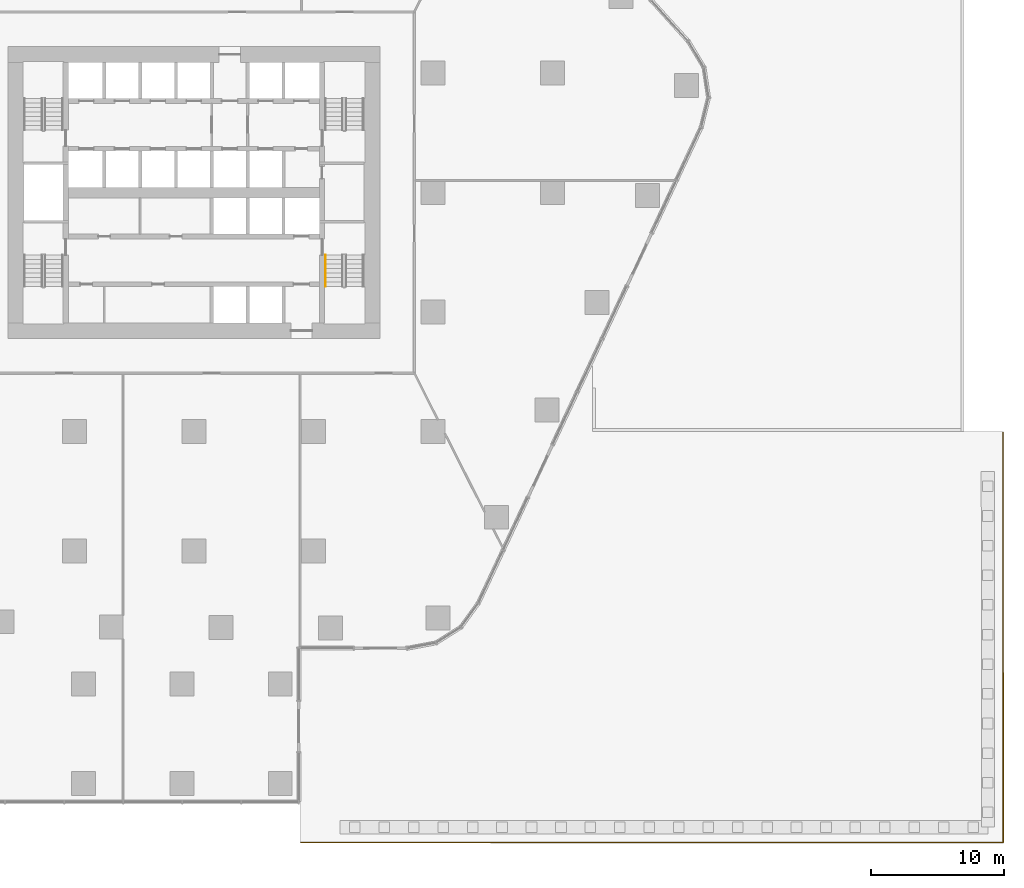
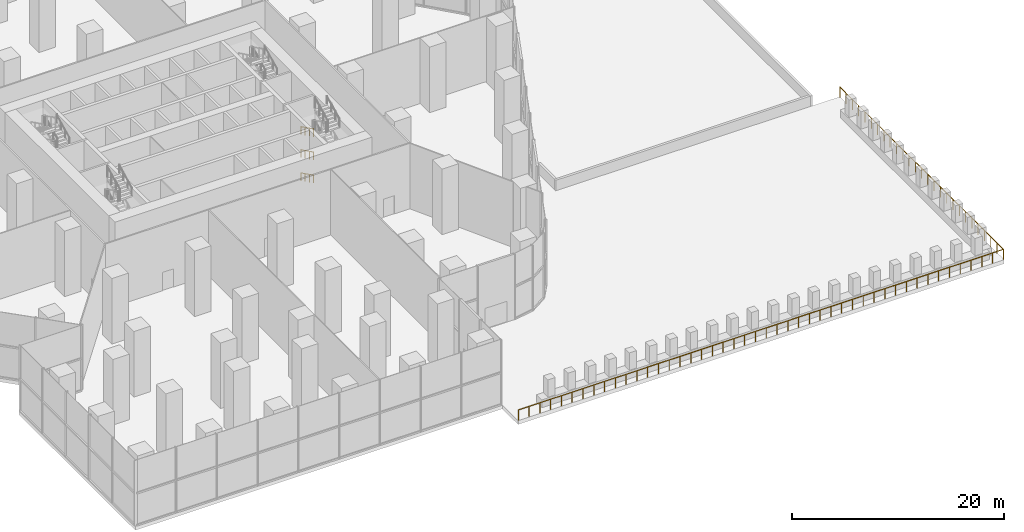
# One storey, part 20 of 22: 4 railings.
"""IFC4 building model written with IfcOpenShell, lengths in metres."""

import ifcopenshell
import ifcopenshell.guid

model = None  # the IFC model being written
_history = None  # IfcOwnerHistory: only IFC2X3 demands one
_inside = {}  # id of a spatial element -> (the spatial element, [elements in it])
_under = {}  # id of a project, library or spatial element -> (it, [spatial elements below it])
_declared = {}  # id of a project -> (the project, [libraries it declares])
_typed = {}  # id of a type object -> (the type object, [elements of that type])
_made_of = {}  # id of a material, layer set ... -> (it, [elements and type objects made of it])


def new_model(schema):
    """Start an empty IFC model of exactly this schema.

    Asked for "IFC4X3", IfcOpenShell would pick the latest addendum, in which some entities
    have other attributes; the version numbers below select the first issue.
    IFC2X3 requires an IfcOwnerHistory on every rooted entity: one is made here for all.
    """
    global model, _history
    if schema == "IFC4X3":
        model = ifcopenshell.file(schema_version=(4, 3, 0, 0))
    else:
        model = ifcopenshell.file(schema=schema)
    _inside.clear()
    _under.clear()
    _declared.clear()
    _typed.clear()
    _made_of.clear()
    _history = None
    if model.schema == "IFC2X3":
        org = make("IfcOrganization", Name="unknown")
        user = make(
            "IfcPersonAndOrganization",
            ThePerson=make("IfcPerson", FamilyName="unknown"),
            TheOrganization=org,
        )
        app = make(
            "IfcApplication",
            ApplicationDeveloper=org,
            Version="unknown",
            ApplicationFullName="unknown",
            ApplicationIdentifier="unknown",
        )
        _history = make(
            "IfcOwnerHistory",
            OwningUser=user,
            OwningApplication=app,
            ChangeAction="ADDED",
            CreationDate=0,
        )
    return model


def make(cls, **values):
    """One entity of the class cls with the attributes given. An attribute that is None is left unset."""
    return model.create_entity(
        cls, **{name: value for name, value in values.items() if value is not None}
    )


def rooted(cls, **values):
    """An entity with a GlobalId (a new one), such as an element, a storey or a relation."""
    return make(cls, GlobalId=ifcopenshell.guid.new(), OwnerHistory=_history, **values)


def si_unit(unit_type, name, prefix=None):
    """IfcSIUnit, for example si_unit("LENGTHUNIT", "METRE", prefix="MILLI")."""
    return make("IfcSIUnit", UnitType=unit_type, Prefix=prefix, Name=name)


def assignment(units):
    """IfcUnitAssignment: the units of a project."""
    return None if units is None else make("IfcUnitAssignment", Units=units)


def point(xyz):
    """IfcCartesianPoint."""
    return None if xyz is None else make("IfcCartesianPoint", Coordinates=xyz)


def direction(xyz):
    """IfcDirection."""
    return None if xyz is None else make("IfcDirection", DirectionRatios=xyz)


def frame(location, z_axis=None, x_axis=None):
    """IfcAxis2Placement3D, a coordinate frame: its origin and axes. An axis left out is left unset."""
    return make(
        "IfcAxis2Placement3D",
        Location=point(location),
        Axis=direction(z_axis),
        RefDirection=direction(x_axis),
    )


def frame_2d(location, x_axis=None):
    """IfcAxis2Placement2D, a coordinate frame in the plane: its origin and x axis."""
    return make(
        "IfcAxis2Placement2D", Location=point(location), RefDirection=direction(x_axis)
    )


def origin():
    """The frame at (0, 0, 0) with its axes left unset."""
    return frame((0.0, 0.0, 0.0))


def origin_2d():
    """The frame at (0, 0) in the plane with its x axis left unset."""
    return frame_2d((0.0, 0.0))


def place(relative_to, where):
    """IfcLocalPlacement: puts the frame where relative to a parent placement (None: the world)."""
    return make(
        "IfcLocalPlacement", PlacementRelTo=relative_to, RelativePlacement=where
    )


def context(
    kind, dimensions, precision=None, world=None, true_north=None, identifier=None
):
    """IfcGeometricRepresentationContext, for example the 3D "Model" context."""
    return make(
        "IfcGeometricRepresentationContext",
        ContextIdentifier=identifier,
        ContextType=kind,
        CoordinateSpaceDimension=dimensions,
        Precision=precision,
        WorldCoordinateSystem=world,
        TrueNorth=true_north,
    )


def subcontext(parent, identifier, kind, view, scale=None):
    """IfcGeometricRepresentationSubContext, for example "Body" below "Model"."""
    return make(
        "IfcGeometricRepresentationSubContext",
        ContextIdentifier=identifier,
        ContextType=kind,
        ParentContext=parent,
        TargetScale=scale,
        TargetView=view,
    )


def project(units=None, contexts=None):
    """IfcProject with its units and contexts."""
    return rooted(
        "IfcProject",
        Name="project",
        RepresentationContexts=contexts,
        UnitsInContext=assignment(units),
    )


def spatial(cls, under=None, at=None, **own):
    """A site, building, storey or space (cls), placed at a placement, below another one or the project."""
    s = rooted(cls, ObjectPlacement=at, **own)
    if under is not None:
        _under.setdefault(under.id(), (under, []))[1].append(s)
    return s


def profile(cls, at=None, kind="AREA", **sizes):
    """A parametric profile (cls). Its sizes go by their IFC names, for example OverallWidth=200.0."""
    return make(cls, ProfileType=kind, Position=at, **sizes)


def circle(**sizes):
    """IfcCircleProfileDef."""
    return profile("IfcCircleProfileDef", **sizes)


def extrude(swept, where, along, depth):
    """IfcExtrudedAreaSolid: the profile swept, set in the frame where, extruded along a direction by depth."""
    return make(
        "IfcExtrudedAreaSolid",
        SweptArea=swept,
        Position=where,
        ExtrudedDirection=direction(along),
        Depth=depth,
    )


def shape(context_of_items, identifier, shape_type, items):
    """IfcShapeRepresentation: the items that make up one representation, for example the "Body"."""
    return make(
        "IfcShapeRepresentation",
        ContextOfItems=context_of_items,
        RepresentationIdentifier=identifier,
        RepresentationType=shape_type,
        Items=items,
    )


def material(Name=None, Category=None):
    """IfcMaterial."""
    return make("IfcMaterial", Name=Name, Category=Category)


def made_of(thing, what):
    """Note that an element or type object is made of a material, layer set ...; save() writes the relation."""
    if what is not None:
        _made_of.setdefault(what.id(), (what, []))[1].append(thing)
    return thing


def type_object(cls, material=None, **own):
    """A type object (cls), such as IfcWallType, which elements share."""
    return made_of(rooted(cls, **own), material)


def element(
    cls,
    number,
    at=None,
    inside=None,
    cuts=None,
    type_object=None,
    material=None,
    context=None,
    identifier="Body",
    shape_type=None,
    held_by="IfcProductDefinitionShape",
    body=None,
    shapes=None,
    **own,
):
    """One element of the class cls, such as IfcWall. Its Tag is "e" and its number.

    at: its placement. inside: the storey or other place that contains it. cuts: it is an
    opening in that element (IfcRelVoidsElement). A single representation is given by context,
    identifier, shape_type and body (its items); several are given by shapes. held_by: the class
    of the entity that holds the representations. save() writes the other relations.
    """
    e = rooted(cls, Tag="e%d" % number, ObjectPlacement=at, **own)
    if body is not None:
        shapes = [shape(context, identifier, shape_type, body)]
    if shapes is not None:
        e.Representation = make(held_by, Representations=shapes)
    if inside is not None:
        _inside.setdefault(inside.id(), (inside, []))[1].append(e)
    if cuts is not None:
        rooted(
            "IfcRelVoidsElement", RelatingBuildingElement=cuts, RelatedOpeningElement=e
        )
    if type_object is not None:
        _typed.setdefault(type_object.id(), (type_object, []))[1].append(e)
    return made_of(e, material)


def aggregate(whole, parts):
    """IfcRelAggregates: a whole, such as a stair, and the parts it consists of."""
    return rooted("IfcRelAggregates", RelatingObject=whole, RelatedObjects=parts)


def save(model, path):
    """Write the relations noted so far, then the file.

    IfcRelAggregates (storeys below a building ...), IfcRelContainedInSpatialStructure (elements
    in a storey), IfcRelDefinesByType, IfcRelAssociatesMaterial and IfcRelDeclares: one each for
    every whole, place, type object, material and project.
    """
    for whole, parts in _under.values():
        aggregate(whole, parts)
    for where, things in _inside.values():
        rooted(
            "IfcRelContainedInSpatialStructure",
            RelatedElements=things,
            RelatingStructure=where,
        )
    for kind, things in _typed.values():
        rooted("IfcRelDefinesByType", RelatedObjects=things, RelatingType=kind)
    for what, things in _made_of.values():
        rooted("IfcRelAssociatesMaterial", RelatedObjects=things, RelatingMaterial=what)
    for by, libraries in _declared.values():
        rooted("IfcRelDeclares", RelatingContext=by, RelatedDefinitions=libraries)
    model.write(path)


model = new_model("IFC4")

# Units and contexts
model_context = context("Model", 3, precision=1e-05, world=origin(), true_north=direction((0.0, 1.0)))
body_context = subcontext(model_context, "Body", "Model", "MODEL_VIEW")
ifc_project = project(units=[si_unit("LENGTHUNIT", "METRE"), si_unit("AREAUNIT", "SQUARE_METRE"), si_unit("VOLUMEUNIT", "CUBIC_METRE"), si_unit("PLANEANGLEUNIT", "RADIAN"), si_unit("MASSUNIT", "GRAM", prefix="KILO")], contexts=[model_context])

# Site, building, storey
site_placement = place(None, origin())
site = spatial("IfcSite", under=ifc_project, at=site_placement, CompositionType="ELEMENT")
building_placement = place(site_placement, origin())
building = spatial("IfcBuilding", under=site, at=building_placement, Name="Dongbaek Canopy Tower", CompositionType="ELEMENT")
storey_placement = place(building_placement, frame((0.0, 0.0, 19.0)))
storey = spatial("IfcBuildingStorey", under=building, at=storey_placement, Name="L02", CompositionType="ELEMENT", Elevation=19.0)

# Railings
ifc_material_1 = material(Name="Stainless steel tube", Category="steel")
railing_type_1 = type_object("IfcRailingType", Name="Stair handrail 900", PredefinedType="HANDRAIL", material=ifc_material_1)
railing_1_placement = place(storey_placement, frame((9.89990234375, -4.699951171875, 0.166748046875)))
element("IfcRailing", 1, at=railing_1_placement, inside=storey, type_object=railing_type_1, Name="L02 ST-B stair handrail 1", PredefinedType="HANDRAIL", context=body_context, shape_type="SweptSolid", body=[
    extrude(circle(Radius=0.02392578125, at=origin_2d()), frame((0.0, 0.0, 0.8759765625), z_axis=(0.0, -0.897954268197, 0.440088777664), x_axis=(1.0, 0.0, 0.0)), (0.0, 0.0, 1.0), 2.650634765625),
    extrude(circle(Radius=0.02099609375, at=origin_2d()), origin(), (0.0, 0.0, 1.0), 0.851806640625),
    extrude(circle(Radius=0.02099609375, at=origin_2d()), frame((0.0, -0.79345703125, 0.388916015625)), (0.0, 0.0, 1.0), 0.851806640625),
    extrude(circle(Radius=0.02099609375, at=origin_2d()), frame((0.0, -1.586669921875, 0.777587890625)), (0.0, 0.0, 1.0), 0.851806640625),
    extrude(circle(Radius=0.02099609375, at=origin_2d()), frame((0.0, -2.380126953125, 1.16650390625)), (0.0, 0.0, 1.0), 0.851806640625),
])
for number, where, name in (
    (2, (9.89990234375, -4.699951171875, 2.833251953125), "L02 ST-B stair handrail 3"),
    (3, (9.89990234375, -4.699951171875, 5.5), "L02 ST-B stair handrail 5"),
):
    element("IfcRailing", number, at=place(storey_placement, frame(where)), inside=storey, type_object=railing_type_1, Name=name, PredefinedType="HANDRAIL", context=body_context, shape_type="SweptSolid", body=[
        extrude(circle(Radius=0.02392578125, at=origin_2d()), frame((0.0, 0.0, 0.8759765625), z_axis=(0.0, -0.897917867668, 0.440163041295), x_axis=(1.0, 0.0, 0.0)), (0.0, 0.0, 1.0), 2.650634765625),
        extrude(circle(Radius=0.02099609375, at=origin_2d()), origin(), (0.0, 0.0, 1.0), 0.851806640625),
        extrude(circle(Radius=0.02099609375, at=origin_2d()), frame((0.0, -0.79345703125, 0.388916015625)), (0.0, 0.0, 1.0), 0.851806640625),
        extrude(circle(Radius=0.02099609375, at=origin_2d()), frame((0.0, -1.586669921875, 0.77783203125)), (0.0, 0.0, 1.0), 0.851806640625),
        extrude(circle(Radius=0.02099609375, at=origin_2d()), frame((0.0, -2.380126953125, 1.166748046875)), (0.0, 0.0, 1.0), 0.851806640625),
    ])
ifc_material_2 = material(Name="Stainless steel", Category="steel")
railing_type_2 = type_object("IfcRailingType", Name="Terrace guard 1200", PredefinedType="GUARDRAIL", material=ifc_material_2)
railing_2_placement = place(storey_placement, frame((60.931884765625, -18.06005859375, 0.0)))
element("IfcRailing", 4, at=railing_2_placement, inside=storey, type_object=railing_type_2, Name="Podium deck guard S1", PredefinedType="GUARDRAIL", context=body_context, shape_type="SweptSolid", body=[
    extrude(circle(Radius=0.02392578125, at=origin_2d()), frame((0.0, 0.0, 1.17578125), z_axis=(0.832050294338, -0.554700196225, 0.0), x_axis=(0.554700196225, 0.832050294338, 0.0)), (0.0, 0.0, 1.0), 0.00537109375),
    extrude(circle(Radius=0.02392578125, at=origin_2d()), frame((0.00439453125, -0.0029296875, 1.17578125), z_axis=(0.000118634281, -0.999999992963, 0.0), x_axis=(0.999999992963, 0.000118634281, 0.0)), (0.0, 0.0, 1.0), 30.868896484375),
    extrude(circle(Radius=0.02392578125, at=origin_2d()), frame((0.008056640625, -30.871826171875, 1.17578125), z_axis=(-0.554700196225, -0.832050294338, 0.0), x_axis=(0.832050294338, -0.554700196225, 0.0)), (0.0, 0.0, 1.0), 0.00537109375),
    extrude(circle(Radius=0.02392578125, at=origin_2d()), frame((0.005126953125, -30.876220703125, 1.17578125), z_axis=(-0.999999996152, 8.7725778e-05, 0.0), x_axis=(-8.7725778e-05, -0.999999996152, 0.0)), (0.0, 0.0, 1.0), 52.876953125),
    extrude(circle(Radius=0.02099609375, at=origin_2d()), origin(), (0.0, 0.0, 1.0), 1.15185546875),
    extrude(circle(Radius=0.02099609375, at=origin_2d()), frame((0.00439453125, -0.0029296875, 0.0)), (0.0, 0.0, 1.0), 1.15185546875),
    extrude(circle(Radius=0.02099609375, at=origin_2d()), frame((0.004638671875, -1.190185546875, 0.0)), (0.0, 0.0, 1.0), 1.15185546875),
    extrude(circle(Radius=0.02099609375, at=origin_2d()), frame((0.004638671875, -2.37744140625, 0.0)), (0.0, 0.0, 1.0), 1.15185546875),
    extrude(circle(Radius=0.02099609375, at=origin_2d()), frame((0.0048828125, -3.564697265625, 0.0)), (0.0, 0.0, 1.0), 1.15185546875),
    extrude(circle(Radius=0.02099609375, at=origin_2d()), frame((0.0048828125, -4.751953125, 0.0)), (0.0, 0.0, 1.0), 1.15185546875),
    extrude(circle(Radius=0.02099609375, at=origin_2d()), frame((0.005126953125, -5.939208984375, 0.0)), (0.0, 0.0, 1.0), 1.15185546875),
    extrude(circle(Radius=0.02099609375, at=origin_2d()), frame((0.005126953125, -7.12646484375, 0.0)), (0.0, 0.0, 1.0), 1.15185546875),
    extrude(circle(Radius=0.02099609375, at=origin_2d()), frame((0.00537109375, -8.313720703125, 0.0)), (0.0, 0.0, 1.0), 1.15185546875),
    extrude(circle(Radius=0.02099609375, at=origin_2d()), frame((0.005615234375, -9.5009765625, 0.0)), (0.0, 0.0, 1.0), 1.15185546875),
    extrude(circle(Radius=0.02099609375, at=origin_2d()), frame((0.005615234375, -10.688232421875, 0.0)), (0.0, 0.0, 1.0), 1.15185546875),
    extrude(circle(Radius=0.02099609375, at=origin_2d()), frame((0.005859375, -11.87548828125, 0.0)), (0.0, 0.0, 1.0), 1.15185546875),
    extrude(circle(Radius=0.02099609375, at=origin_2d()), frame((0.005859375, -13.062744140625, 0.0)), (0.0, 0.0, 1.0), 1.15185546875),
    extrude(circle(Radius=0.02099609375, at=origin_2d()), frame((0.006103515625, -14.25, 0.0)), (0.0, 0.0, 1.0), 1.15185546875),
    extrude(circle(Radius=0.02099609375, at=origin_2d()), frame((0.00634765625, -15.4375, 0.0)), (0.0, 0.0, 1.0), 1.15185546875),
    extrude(circle(Radius=0.02099609375, at=origin_2d()), frame((0.00634765625, -16.624755859375, 0.0)), (0.0, 0.0, 1.0), 1.15185546875),
    extrude(circle(Radius=0.02099609375, at=origin_2d()), frame((0.006591796875, -17.81201171875, 0.0)), (0.0, 0.0, 1.0), 1.15185546875),
    extrude(circle(Radius=0.02099609375, at=origin_2d()), frame((0.006591796875, -18.999267578125, 0.0)), (0.0, 0.0, 1.0), 1.15185546875),
    extrude(circle(Radius=0.02099609375, at=origin_2d()), frame((0.0068359375, -20.1865234375, 0.0)), (0.0, 0.0, 1.0), 1.15185546875),
    extrude(circle(Radius=0.02099609375, at=origin_2d()), frame((0.0068359375, -21.373779296875, 0.0)), (0.0, 0.0, 1.0), 1.15185546875),
    extrude(circle(Radius=0.02099609375, at=origin_2d()), frame((0.007080078125, -22.56103515625, 0.0)), (0.0, 0.0, 1.0), 1.15185546875),
    extrude(circle(Radius=0.02099609375, at=origin_2d()), frame((0.00732421875, -23.748291015625, 0.0)), (0.0, 0.0, 1.0), 1.15185546875),
    extrude(circle(Radius=0.02099609375, at=origin_2d()), frame((0.00732421875, -24.935546875, 0.0)), (0.0, 0.0, 1.0), 1.15185546875),
    extrude(circle(Radius=0.02099609375, at=origin_2d()), frame((0.007568359375, -26.122802734375, 0.0)), (0.0, 0.0, 1.0), 1.15185546875),
    extrude(circle(Radius=0.02099609375, at=origin_2d()), frame((0.007568359375, -27.31005859375, 0.0)), (0.0, 0.0, 1.0), 1.15185546875),
    extrude(circle(Radius=0.02099609375, at=origin_2d()), frame((0.0078125, -28.497314453125, 0.0)), (0.0, 0.0, 1.0), 1.15185546875),
    extrude(circle(Radius=0.02099609375, at=origin_2d()), frame((0.0078125, -29.6845703125, 0.0)), (0.0, 0.0, 1.0), 1.15185546875),
    extrude(circle(Radius=0.02099609375, at=origin_2d()), frame((0.008056640625, -30.871826171875, 0.0)), (0.0, 0.0, 1.0), 1.15185546875),
    extrude(circle(Radius=0.02099609375, at=origin_2d()), frame((0.005126953125, -30.876220703125, 0.0)), (0.0, 0.0, 1.0), 1.15185546875),
    extrude(circle(Radius=0.02099609375, at=origin_2d()), frame((-1.169921875, -30.876220703125, 0.0)), (0.0, 0.0, 1.0), 1.15185546875),
    extrude(circle(Radius=0.02099609375, at=origin_2d()), frame((-2.344970703125, -30.8759765625, 0.0)), (0.0, 0.0, 1.0), 1.15185546875),
    extrude(circle(Radius=0.02099609375, at=origin_2d()), frame((-3.52001953125, -30.8759765625, 0.0)), (0.0, 0.0, 1.0), 1.15185546875),
    extrude(circle(Radius=0.02099609375, at=origin_2d()), frame((-4.695068359375, -30.875732421875, 0.0)), (0.0, 0.0, 1.0), 1.15185546875),
    extrude(circle(Radius=0.02099609375, at=origin_2d()), frame((-5.8701171875, -30.875732421875, 0.0)), (0.0, 0.0, 1.0), 1.15185546875),
    extrude(circle(Radius=0.02099609375, at=origin_2d()), frame((-7.045166015625, -30.87548828125, 0.0)), (0.0, 0.0, 1.0), 1.15185546875),
    extrude(circle(Radius=0.02099609375, at=origin_2d()), frame((-8.22021484375, -30.87548828125, 0.0)), (0.0, 0.0, 1.0), 1.15185546875),
    extrude(circle(Radius=0.02099609375, at=origin_2d()), frame((-9.395263671875, -30.87548828125, 0.0)), (0.0, 0.0, 1.0), 1.15185546875),
    extrude(circle(Radius=0.02099609375, at=origin_2d()), frame((-10.5703125, -30.875244140625, 0.0)), (0.0, 0.0, 1.0), 1.15185546875),
    extrude(circle(Radius=0.02099609375, at=origin_2d()), frame((-11.745361328125, -30.875244140625, 0.0)), (0.0, 0.0, 1.0), 1.15185546875),
    extrude(circle(Radius=0.02099609375, at=origin_2d()), frame((-12.92041015625, -30.875, 0.0)), (0.0, 0.0, 1.0), 1.15185546875),
    extrude(circle(Radius=0.02099609375, at=origin_2d()), frame((-14.095458984375, -30.875, 0.0)), (0.0, 0.0, 1.0), 1.15185546875),
    extrude(circle(Radius=0.02099609375, at=origin_2d()), frame((-15.2705078125, -30.875, 0.0)), (0.0, 0.0, 1.0), 1.15185546875),
    extrude(circle(Radius=0.02099609375, at=origin_2d()), frame((-16.445556640625, -30.874755859375, 0.0)), (0.0, 0.0, 1.0), 1.15185546875),
    extrude(circle(Radius=0.02099609375, at=origin_2d()), frame((-17.62060546875, -30.874755859375, 0.0)), (0.0, 0.0, 1.0), 1.15185546875),
    extrude(circle(Radius=0.02099609375, at=origin_2d()), frame((-18.795654296875, -30.87451171875, 0.0)), (0.0, 0.0, 1.0), 1.15185546875),
    extrude(circle(Radius=0.02099609375, at=origin_2d()), frame((-19.970703125, -30.87451171875, 0.0)), (0.0, 0.0, 1.0), 1.15185546875),
    extrude(circle(Radius=0.02099609375, at=origin_2d()), frame((-21.145751953125, -30.874267578125, 0.0)), (0.0, 0.0, 1.0), 1.15185546875),
    extrude(circle(Radius=0.02099609375, at=origin_2d()), frame((-22.32080078125, -30.874267578125, 0.0)), (0.0, 0.0, 1.0), 1.15185546875),
    extrude(circle(Radius=0.02099609375, at=origin_2d()), frame((-23.495849609375, -30.874267578125, 0.0)), (0.0, 0.0, 1.0), 1.15185546875),
    extrude(circle(Radius=0.02099609375, at=origin_2d()), frame((-24.6708984375, -30.8740234375, 0.0)), (0.0, 0.0, 1.0), 1.15185546875),
    extrude(circle(Radius=0.02099609375, at=origin_2d()), frame((-25.845947265625, -30.8740234375, 0.0)), (0.0, 0.0, 1.0), 1.15185546875),
    extrude(circle(Radius=0.02099609375, at=origin_2d()), frame((-27.020751953125, -30.873779296875, 0.0)), (0.0, 0.0, 1.0), 1.15185546875),
    extrude(circle(Radius=0.02099609375, at=origin_2d()), frame((-28.19580078125, -30.873779296875, 0.0)), (0.0, 0.0, 1.0), 1.15185546875),
    extrude(circle(Radius=0.02099609375, at=origin_2d()), frame((-29.370849609375, -30.87353515625, 0.0)), (0.0, 0.0, 1.0), 1.15185546875),
    extrude(circle(Radius=0.02099609375, at=origin_2d()), frame((-30.5458984375, -30.87353515625, 0.0)), (0.0, 0.0, 1.0), 1.15185546875),
    extrude(circle(Radius=0.02099609375, at=origin_2d()), frame((-31.720947265625, -30.87353515625, 0.0)), (0.0, 0.0, 1.0), 1.15185546875),
    extrude(circle(Radius=0.02099609375, at=origin_2d()), frame((-32.89599609375, -30.873291015625, 0.0)), (0.0, 0.0, 1.0), 1.15185546875),
    extrude(circle(Radius=0.02099609375, at=origin_2d()), frame((-34.071044921875, -30.873291015625, 0.0)), (0.0, 0.0, 1.0), 1.15185546875),
    extrude(circle(Radius=0.02099609375, at=origin_2d()), frame((-35.24609375, -30.873046875, 0.0)), (0.0, 0.0, 1.0), 1.15185546875),
    extrude(circle(Radius=0.02099609375, at=origin_2d()), frame((-36.421142578125, -30.873046875, 0.0)), (0.0, 0.0, 1.0), 1.15185546875),
    extrude(circle(Radius=0.02099609375, at=origin_2d()), frame((-37.59619140625, -30.872802734375, 0.0)), (0.0, 0.0, 1.0), 1.15185546875),
    extrude(circle(Radius=0.02099609375, at=origin_2d()), frame((-38.771240234375, -30.872802734375, 0.0)), (0.0, 0.0, 1.0), 1.15185546875),
    extrude(circle(Radius=0.02099609375, at=origin_2d()), frame((-39.9462890625, -30.872802734375, 0.0)), (0.0, 0.0, 1.0), 1.15185546875),
    extrude(circle(Radius=0.02099609375, at=origin_2d()), frame((-41.121337890625, -30.87255859375, 0.0)), (0.0, 0.0, 1.0), 1.15185546875),
    extrude(circle(Radius=0.02099609375, at=origin_2d()), frame((-42.29638671875, -30.87255859375, 0.0)), (0.0, 0.0, 1.0), 1.15185546875),
    extrude(circle(Radius=0.02099609375, at=origin_2d()), frame((-43.471435546875, -30.872314453125, 0.0)), (0.0, 0.0, 1.0), 1.15185546875),
    extrude(circle(Radius=0.02099609375, at=origin_2d()), frame((-44.646484375, -30.872314453125, 0.0)), (0.0, 0.0, 1.0), 1.15185546875),
    extrude(circle(Radius=0.02099609375, at=origin_2d()), frame((-45.821533203125, -30.872314453125, 0.0)), (0.0, 0.0, 1.0), 1.15185546875),
    extrude(circle(Radius=0.02099609375, at=origin_2d()), frame((-46.99658203125, -30.8720703125, 0.0)), (0.0, 0.0, 1.0), 1.15185546875),
    extrude(circle(Radius=0.02099609375, at=origin_2d()), frame((-48.171630859375, -30.8720703125, 0.0)), (0.0, 0.0, 1.0), 1.15185546875),
    extrude(circle(Radius=0.02099609375, at=origin_2d()), frame((-49.3466796875, -30.871826171875, 0.0)), (0.0, 0.0, 1.0), 1.15185546875),
    extrude(circle(Radius=0.02099609375, at=origin_2d()), frame((-50.521728515625, -30.871826171875, 0.0)), (0.0, 0.0, 1.0), 1.15185546875),
    extrude(circle(Radius=0.02099609375, at=origin_2d()), frame((-51.69677734375, -30.87158203125, 0.0)), (0.0, 0.0, 1.0), 1.15185546875),
    extrude(circle(Radius=0.02099609375, at=origin_2d()), frame((-52.871826171875, -30.87158203125, 0.0)), (0.0, 0.0, 1.0), 1.15185546875),
])

save(model, "model.ifc")
